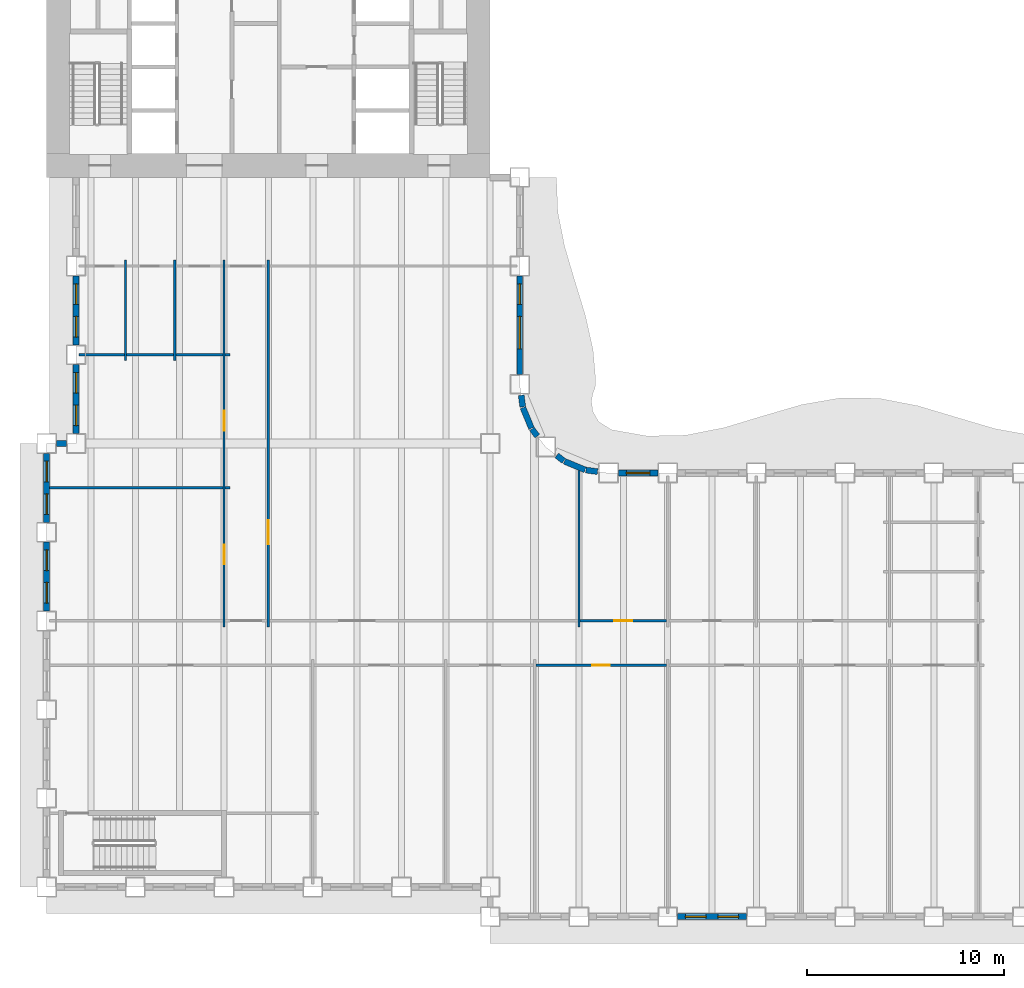
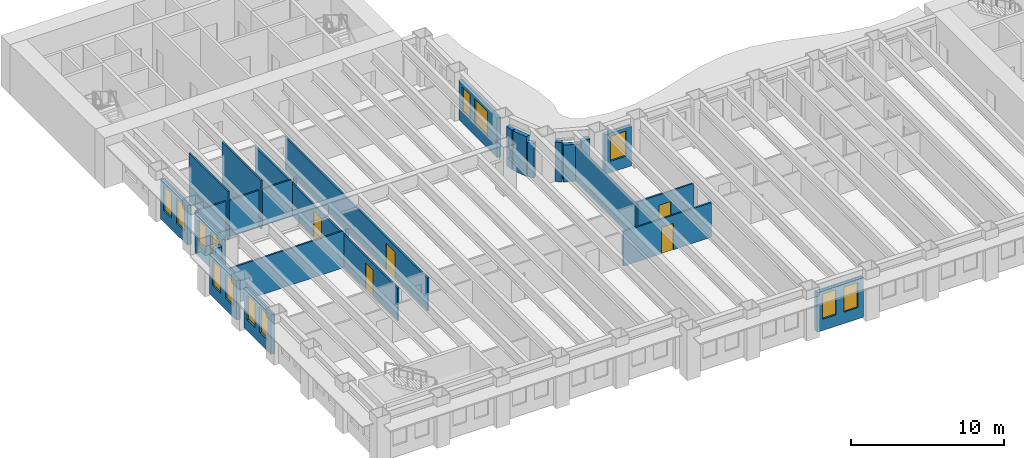
# One storey, part 4 of 16: 27 walls, 13 windows, 5 doors, 18 openings.
"""IFC4 building model written with IfcOpenShell, lengths in metres."""

from ifc_helpers import new_model, si_unit, direction, frame, frame_2d, origin, place, context, subcontext, project, spatial, rectangle, extrude, material, layer, layer_set, type_object, element, fill, save


model = new_model("IFC4")

# Units and contexts
model_context = context("Model", 3, precision=1e-05, world=origin(), true_north=direction((0.0, 1.0)))
body_context = subcontext(model_context, "Body", "Model", "MODEL_VIEW")
ifc_project = project(units=[si_unit("LENGTHUNIT", "METRE"), si_unit("AREAUNIT", "SQUARE_METRE"), si_unit("VOLUMEUNIT", "CUBIC_METRE"), si_unit("PLANEANGLEUNIT", "RADIAN"), si_unit("MASSUNIT", "GRAM", prefix="KILO")], contexts=[model_context])

# Site, building, storey
site_placement = place(None, origin())
site = spatial("IfcSite", under=ifc_project, at=site_placement, CompositionType="ELEMENT")
building_placement = place(site_placement, origin())
building = spatial("IfcBuilding", under=site, at=building_placement, Name="Sennacour Bend Tower", CompositionType="ELEMENT")
storey_placement = place(building_placement, frame((0.0, 0.0, 123.0)))
storey = spatial("IfcBuildingStorey", under=building, at=storey_placement, Name="L28", CompositionType="ELEMENT", Elevation=123.0)

# Walls
ifc_material_1 = material(Name="Plasterboard partition on steel studs", Category="steel")
ifc_layer_1 = layer(ifc_material_1, 0.1201171875, Name="Plasterboard partition on steel studs", Category="steel")
ifc_layer_set_1 = layer_set([ifc_layer_1], Name="Plasterboard partition on steel studs")
wall_type_1 = type_object("IfcWallType", Name="Partition 120", PredefinedType="PARTITIONING", material=ifc_layer_set_1)
for number, where, z_axis, x_axis, name in (
    (1, (4.0, 26.699951171875, 0.0), (0.0, 0.0, 1.0), (0.0, 1.0, 0.0), "P-L28-W005a"),
    (2, (6.5, 26.699951171875, 0.0), (0.0, 0.0, 1.0), (0.0, 1.0, 0.0), "P-L28-W008a"),
):
    element("IfcWall", number, at=place(storey_placement, frame(where, z_axis=z_axis, x_axis=x_axis)), inside=storey, type_object=wall_type_1, Name=name, PredefinedType="PARTITIONING", context=body_context, shape_type="SweptSolid", body=[
        extrude(rectangle(XDim=5.10009765625, YDim=0.1201171875, at=frame_2d((2.550048828125, 0.0))), origin(), (0.0, 0.0, 1.0), 3.85009765625),
    ])

# Wall, openings, doors
wall_1_placement = place(storey_placement, frame((9.0, 13.199951171875, 0.0), z_axis=(0.0, 0.0, 1.0), x_axis=(0.0, 1.0, 0.0)))
wall_1 = element("IfcWall", 3, at=wall_1_placement, inside=storey, type_object=wall_type_1, Name="P-L28-W011a", PredefinedType="PARTITIONING", context=body_context, shape_type="SweptSolid", body=[
    extrude(rectangle(XDim=18.60009765625, YDim=0.1201171875, at=frame_2d((9.300048828125, 0.0))), origin(), (0.0, 0.0, 1.0), 2.60009765625),
])
opening_1_placement = place(wall_1_placement, frame((3.175048828125, 0.0, 0.0)))
opening_1 = element("IfcOpeningElement", 4, at=opening_1_placement, cuts=wall_1, Name="Opening OD2", PredefinedType="OPENING", context=body_context, shape_type="SweptSolid", body=[
    extrude(rectangle(XDim=1.0, YDim=2.10009765625, at=frame_2d((0.5, 1.050048828125))), frame((0.0, 0.070068359375, 0.0), z_axis=(0.0, -1.0, 0.0), x_axis=(1.0, 0.0, 0.0)), (0.0, 0.0, 1.0), 0.14013671875),
])
opening_2_placement = place(wall_1_placement, frame((9.955078125, 0.0, 0.0)))
opening_2 = element("IfcOpeningElement", 5, at=opening_2_placement, cuts=wall_1, Name="Opening OD2", PredefinedType="OPENING", context=body_context, shape_type="SweptSolid", body=[
    extrude(rectangle(XDim=1.0, YDim=2.10009765625, at=frame_2d((0.5, 1.050048828125))), frame((0.0, 0.070068359375, 0.0), z_axis=(0.0, -1.0, 0.0), x_axis=(1.0, 0.0, 0.0)), (0.0, 0.0, 1.0), 0.14013671875),
])
ifc_material_2 = material(Name="Timber", Category="wood")
door_type_1 = type_object("IfcDoorType", Name="DR-OFFICE-1000", OperationType="NOTDEFINED", PredefinedType="DOOR", material=ifc_material_2)
door_1_placement = place(opening_1_placement, origin())
door_1 = element("IfcDoor", 6, at=door_1_placement, inside=storey, type_object=door_type_1, Name="Door", OperationType="SINGLE_SWING_LEFT", OverallHeight=2.10009765625, OverallWidth=1.0, PredefinedType="DOOR", context=body_context, shape_type="SweptSolid", body=[
    extrude(rectangle(XDim=1.0, YDim=2.10009765625, at=frame_2d((0.5, 1.050048828125))), frame((0.0, 0.02490234375, 0.0), z_axis=(0.0, -1.0, 0.0), x_axis=(1.0, 0.0, 0.0)), (0.0, 0.0, 1.0), 0.050048828125),
])
fill(opening_1, door_1)
door_2_placement = place(opening_2_placement, origin())
door_2 = element("IfcDoor", 7, at=door_2_placement, inside=storey, type_object=door_type_1, Name="Door", OperationType="SINGLE_SWING_RIGHT", OverallHeight=2.10009765625, OverallWidth=1.0, PredefinedType="DOOR", context=body_context, shape_type="SweptSolid", body=[
    extrude(rectangle(XDim=1.0, YDim=2.10009765625, at=frame_2d((0.5, 1.050048828125))), frame((0.0, 0.02490234375, 0.0), z_axis=(0.0, -1.0, 0.0), x_axis=(1.0, 0.0, 0.0)), (0.0, 0.0, 1.0), 0.050048828125),
])
fill(opening_2, door_2)

# Wall, opening, door
wall_2_placement = place(storey_placement, frame((11.25, 13.199951171875, 0.0), z_axis=(0.0, 0.0, 1.0), x_axis=(0.0, 1.0, 0.0)))
wall_2 = element("IfcWall", 8, at=wall_2_placement, inside=storey, type_object=wall_type_1, Name="P-L28-W013a", PredefinedType="PARTITIONING", context=body_context, shape_type="SweptSolid", body=[
    extrude(rectangle(XDim=18.60009765625, YDim=0.1201171875, at=frame_2d((9.300048828125, 0.0))), origin(), (0.0, 0.0, 1.0), 2.60009765625),
])
opening_3_placement = place(wall_2_placement, frame((4.199951171875, 0.0, 0.0)))
opening_3 = element("IfcOpeningElement", 9, at=opening_3_placement, cuts=wall_2, Name="Opening OD", PredefinedType="OPENING", context=body_context, shape_type="SweptSolid", body=[
    extrude(rectangle(XDim=1.199951171875, YDim=2.10009765625, at=frame_2d((0.60009765625, 1.050048828125))), frame((0.0, 0.070068359375, 0.0), z_axis=(0.0, -1.0, 0.0), x_axis=(1.0, 0.0, 0.0)), (0.0, 0.0, 1.0), 0.14013671875),
])
door_type_2 = type_object("IfcDoorType", Name="DR-OFFICE-1200", OperationType="NOTDEFINED", PredefinedType="DOOR", material=ifc_material_2)
door_3_placement = place(opening_3_placement, origin())
door_3 = element("IfcDoor", 10, at=door_3_placement, inside=storey, type_object=door_type_2, Name="Door", OperationType="SINGLE_SWING_LEFT", OverallHeight=2.10009765625, OverallWidth=1.199951171875, PredefinedType="DOOR", context=body_context, shape_type="SweptSolid", body=[
    extrude(rectangle(XDim=1.199951171875, YDim=2.10009765625, at=frame_2d((0.60009765625, 1.050048828125))), frame((0.0, 0.02490234375, 0.0), z_axis=(0.0, -1.0, 0.0), x_axis=(1.0, 0.0, 0.0)), (0.0, 0.0, 1.0), 0.050048828125),
])
fill(opening_3, door_3)

# Walls
wall_3_placement = place(storey_placement, frame((27.0, 13.199951171875, 0.0), z_axis=(0.0, 0.0, 1.0), x_axis=(0.0, 1.0, 0.0)))
element("IfcWall", 11, at=wall_3_placement, inside=storey, type_object=wall_type_1, Name="P-L28-W026a", PredefinedType="PARTITIONING", context=body_context, shape_type="SweptSolid", body=[
    extrude(rectangle(XDim=7.929931640625, YDim=0.1201171875, at=frame_2d((3.96484375, 0.0))), origin(), (0.0, 0.0, 1.0), 2.93798828125),
])
wall_4_placement = place(storey_placement, frame((0.14990234375, 20.25, 0.0), z_axis=(0.0, 0.0, 1.0), x_axis=(1.0, 0.0, 0.0)))
element("IfcWall", 12, at=wall_4_placement, inside=storey, type_object=wall_type_1, Name="P-L28-W070aa", PredefinedType="PARTITIONING", context=body_context, shape_type="SweptSolid", body=[
    extrude(rectangle(XDim=8.7900390625, YDim=0.1201171875, at=frame_2d((4.39501953125, 0.0))), origin(), (0.0, 0.0, 1.0), 2.93798828125),
])
wall_5_placement = place(storey_placement, frame((9.06005859375, 20.25, 0.0), z_axis=(0.0, 0.0, 1.0), x_axis=(1.0, 0.0, 0.0)))
element("IfcWall", 13, at=wall_5_placement, inside=storey, type_object=wall_type_1, Name="P-L28-W070ab", PredefinedType="PARTITIONING", context=body_context, shape_type="SweptSolid", body=[
    extrude(rectangle(XDim=0.239990234375, YDim=0.1201171875, at=frame_2d((0.1201171875, 0.0))), origin(), (0.0, 0.0, 1.0), 2.93798828125),
])
wall_6_placement = place(storey_placement, frame((1.64990234375, 27.0, 0.0), z_axis=(0.0, 0.0, 1.0), x_axis=(1.0, 0.0, 0.0)))
element("IfcWall", 14, at=wall_6_placement, inside=storey, type_object=wall_type_1, Name="P-L28-W073aa", PredefinedType="PARTITIONING", context=body_context, shape_type="SweptSolid", body=[
    extrude(rectangle(XDim=2.2900390625, YDim=0.1201171875, at=frame_2d((1.14501953125, 0.0))), origin(), (0.0, 0.0, 1.0), 2.93798828125),
])
for number, where, z_axis, x_axis, name in (
    (15, (4.06005859375, 27.0, 0.0), (0.0, 0.0, 1.0), (1.0, 0.0, 0.0), "P-L28-W073ab"),
    (16, (6.56005859375, 27.0, 0.0), (0.0, 0.0, 1.0), (1.0, 0.0, 0.0), "P-L28-W073ac"),
):
    element("IfcWall", number, at=place(storey_placement, frame(where, z_axis=z_axis, x_axis=x_axis)), inside=storey, type_object=wall_type_1, Name=name, PredefinedType="PARTITIONING", context=body_context, shape_type="SweptSolid", body=[
        extrude(rectangle(XDim=2.3798828125, YDim=0.1201171875, at=frame_2d((1.18994140625, 0.0))), origin(), (0.0, 0.0, 1.0), 2.93798828125),
    ])
wall_7_placement = place(storey_placement, frame((9.06005859375, 27.0, 0.0), z_axis=(0.0, 0.0, 1.0), x_axis=(1.0, 0.0, 0.0)))
element("IfcWall", 17, at=wall_7_placement, inside=storey, type_object=wall_type_1, Name="P-L28-W073ad", PredefinedType="PARTITIONING", context=body_context, shape_type="SweptSolid", body=[
    extrude(rectangle(XDim=0.239990234375, YDim=0.1201171875, at=frame_2d((0.1201171875, 0.0))), origin(), (0.0, 0.0, 1.0), 2.93798828125),
])

# Wall, opening, door
ifc_layer_2 = layer(ifc_material_1, 0.1201171875, Name="Plasterboard partition on steel studs", Category="steel")
ifc_layer_set_2 = layer_set([ifc_layer_2], Name="Plasterboard partition on steel studs")
wall_type_2 = type_object("IfcWallType", Name="Partition 120 EI 60", PredefinedType="PARTITIONING", material=ifc_layer_set_2)
wall_8_placement = place(storey_placement, frame((24.81005859375, 11.25, 0.0), z_axis=(0.0, 0.0, 1.0), x_axis=(1.0, 0.0, 0.0)))
wall_8 = element("IfcWall", 18, at=wall_8_placement, inside=storey, type_object=wall_type_2, Name="P-L28-W058ad", PredefinedType="PARTITIONING", context=body_context, shape_type="SweptSolid", body=[
    extrude(rectangle(XDim=6.6298828125, YDim=0.1201171875, at=frame_2d((3.31494140625, 0.0))), origin(), (0.0, 0.0, 1.0), 2.760009765625),
])
opening_4_placement = place(wall_8_placement, frame((2.864990234375, 0.0, 0.0)))
opening_4 = element("IfcOpeningElement", 19, at=opening_4_placement, cuts=wall_8, Name="Opening SV", PredefinedType="OPENING", context=body_context, shape_type="SweptSolid", body=[
    extrude(rectangle(XDim=0.89990234375, YDim=2.10009765625, at=frame_2d((0.449951171875, 1.050048828125))), frame((0.0, 0.070068359375, 0.0), z_axis=(0.0, -1.0, 0.0), x_axis=(1.0, 0.0, 0.0)), (0.0, 0.0, 1.0), 0.14013671875),
])
ifc_material_3 = material(Name="Painted steel", Category="steel")
door_type_3 = type_object("IfcDoorType", Name="DR-SERVICE-900", OperationType="NOTDEFINED", PredefinedType="DOOR", material=ifc_material_3)
door_4_placement = place(opening_4_placement, origin())
door_4 = element("IfcDoor", 20, at=door_4_placement, inside=storey, type_object=door_type_3, Name="Door", OperationType="SINGLE_SWING_LEFT", OverallHeight=2.10009765625, OverallWidth=0.89990234375, PredefinedType="DOOR", context=body_context, shape_type="SweptSolid", body=[
    extrude(rectangle(XDim=0.89990234375, YDim=2.10009765625, at=frame_2d((0.449951171875, 1.050048828125))), frame((0.0, 0.02490234375, 0.0), z_axis=(0.0, -1.0, 0.0), x_axis=(1.0, 0.0, 0.0)), (0.0, 0.0, 1.0), 0.050048828125),
])
fill(opening_4, door_4)

wall_9_placement = place(storey_placement, frame((27.06005859375, 13.5, 0.0), z_axis=(0.0, 0.0, 1.0), x_axis=(1.0, 0.0, 0.0)))
wall_9 = element("IfcWall", 21, at=wall_9_placement, inside=storey, type_object=wall_type_2, Name="P-L28-W060ad", PredefinedType="PARTITIONING", context=body_context, shape_type="SweptSolid", body=[
    extrude(rectangle(XDim=4.3798828125, YDim=0.1201171875, at=frame_2d((2.18994140625, 0.0))), origin(), (0.0, 0.0, 1.0), 2.93798828125),
])
opening_5_placement = place(wall_9_placement, frame((1.739990234375, 0.0, 0.0)))
opening_5 = element("IfcOpeningElement", 22, at=opening_5_placement, cuts=wall_9, Name="Opening SV", PredefinedType="OPENING", context=body_context, shape_type="SweptSolid", body=[
    extrude(rectangle(XDim=0.89990234375, YDim=2.10009765625, at=frame_2d((0.449951171875, 1.050048828125))), frame((0.0, 0.070068359375, 0.0), z_axis=(0.0, -1.0, 0.0), x_axis=(1.0, 0.0, 0.0)), (0.0, 0.0, 1.0), 0.14013671875),
])
door_5_placement = place(opening_5_placement, origin())
door_5 = element("IfcDoor", 23, at=door_5_placement, inside=storey, type_object=door_type_3, Name="Door", OperationType="SINGLE_SWING_LEFT", OverallHeight=2.10009765625, OverallWidth=0.89990234375, PredefinedType="DOOR", context=body_context, shape_type="SweptSolid", body=[
    extrude(rectangle(XDim=0.89990234375, YDim=2.10009765625, at=frame_2d((0.449951171875, 1.050048828125))), frame((0.0, 0.02490234375, 0.0), z_axis=(0.0, -1.0, 0.0), x_axis=(1.0, 0.0, 0.0)), (0.0, 0.0, 1.0), 0.050048828125),
])
fill(opening_5, door_5)

# Wall, openings, windows
ifc_material_4 = material(Name="Warm limestone cladding", Category="masonry")
ifc_layer_3 = layer(ifc_material_4, 0.050048828125, Name="Warm limestone cladding", Category="masonry")
ifc_material_5 = material(Name="Precast concrete C40/50", Category="concrete")
ifc_layer_4 = layer(ifc_material_5, 0.25, Name="Precast concrete C40/50", Category="concrete")
ifc_layer_set_3 = layer_set([ifc_layer_3, ifc_layer_4], Name="Precast concrete C40/50 with limestone cladding")
wall_type_3 = type_object("IfcWallType", Name="STONE-CLAD PRECAST SPANDREL 300", PredefinedType="STANDARD", material=ifc_layer_set_3)
wall_10_placement = place(storey_placement, frame((32.0, -1.5, 0.0), z_axis=(0.0, 0.0, 1.0), x_axis=(1.0, 0.0, 0.0)))
wall_10 = element("IfcWall", 24, at=wall_10_placement, inside=storey, type_object=wall_type_3, Name="Stone spandrel and pier wall L28 00.02", PredefinedType="STANDARD", context=body_context, shape_type="SweptSolid", body=[
    extrude(rectangle(XDim=3.5, YDim=0.300048828125, at=frame_2d((1.75, 0.0))), origin(), (0.0, 0.0, 1.0), 3.154052734375),
])
opening_6_placement = place(wall_10_placement, frame((0.39990234375, 0.0, 0.89990234375)))
opening_6 = element("IfcOpeningElement", 25, at=opening_6_placement, cuts=wall_10, Name="Opening W13", PredefinedType="OPENING", context=body_context, shape_type="SweptSolid", body=[
    extrude(rectangle(XDim=1.050048828125, YDim=2.0, at=frame_2d((0.52490234375, 1.0))), frame((0.0, 0.16015625, 0.0), z_axis=(0.0, -1.0, 0.0), x_axis=(1.0, 0.0, 0.0)), (0.0, 0.0, 1.0), 0.320068359375),
])
opening_7_placement = place(wall_10_placement, frame((2.050048828125, 0.0, 0.89990234375)))
opening_7 = element("IfcOpeningElement", 26, at=opening_7_placement, cuts=wall_10, Name="Opening W13", PredefinedType="OPENING", context=body_context, shape_type="SweptSolid", body=[
    extrude(rectangle(XDim=1.050048828125, YDim=2.0, at=frame_2d((0.52490234375, 1.0))), frame((0.0, 0.16015625, 0.0), z_axis=(0.0, -1.0, 0.0), x_axis=(1.0, 0.0, 0.0)), (0.0, 0.0, 1.0), 0.320068359375),
])
ifc_material_6 = material(Name="Clear low-emissivity glass", Category="glass")
window_type_1 = type_object("IfcWindowType", Name="WIN-RIBBON-1050x2000", PartitioningType="SINGLE_PANEL", PredefinedType="WINDOW", material=ifc_material_6)
window_1_placement = place(opening_6_placement, origin())
window_1 = element("IfcWindow", 27, at=window_1_placement, inside=storey, type_object=window_type_1, Name="Ribbon window L28 00.02.0", OverallHeight=2.0, OverallWidth=1.050048828125, PartitioningType="SINGLE_PANEL", PredefinedType="WINDOW", context=body_context, shape_type="SweptSolid", body=[
    extrude(rectangle(XDim=1.050048828125, YDim=2.0, at=frame_2d((0.52490234375, 1.0))), frame((0.0, 0.030029296875, 0.0), z_axis=(0.0, -1.0, 0.0), x_axis=(1.0, 0.0, 0.0)), (0.0, 0.0, 1.0), 0.06005859375),
])
fill(opening_6, window_1)
window_2_placement = place(opening_7_placement, origin())
window_2 = element("IfcWindow", 28, at=window_2_placement, inside=storey, type_object=window_type_1, Name="Ribbon window L28 00.02.1", OverallHeight=2.0, OverallWidth=1.050048828125, PartitioningType="SINGLE_PANEL", PredefinedType="WINDOW", context=body_context, shape_type="SweptSolid", body=[
    extrude(rectangle(XDim=1.050048828125, YDim=2.0, at=frame_2d((0.52490234375, 1.0))), frame((0.0, 0.030029296875, 0.0), z_axis=(0.0, -1.0, 0.0), x_axis=(1.0, 0.0, 0.0)), (0.0, 0.0, 1.0), 0.06005859375),
])
fill(opening_7, window_2)

# Wall, opening, window
wall_11_placement = place(storey_placement, frame((31.0, 21.0, 0.0), z_axis=(0.0, 0.0, 1.0), x_axis=(-1.0, 0.0, 0.0)))
wall_11 = element("IfcWall", 29, at=wall_11_placement, inside=storey, type_object=wall_type_3, Name="Stone spandrel and pier wall L28 06.05", PredefinedType="STANDARD", context=body_context, shape_type="SweptSolid", body=[
    extrude(rectangle(XDim=2.0, YDim=0.300048828125, at=frame_2d((1.0, 0.0))), origin(), (0.0, 0.0, 1.0), 3.154052734375),
])
opening_8_placement = place(wall_11_placement, frame((0.39990234375, 0.0, 0.89990234375)))
opening_8 = element("IfcOpeningElement", 30, at=opening_8_placement, cuts=wall_11, Name="Opening W14", PredefinedType="OPENING", context=body_context, shape_type="SweptSolid", body=[
    extrude(rectangle(XDim=1.199951171875, YDim=2.0, at=frame_2d((0.60009765625, 1.0))), frame((0.0, 0.16015625, 0.0), z_axis=(0.0, -1.0, 0.0), x_axis=(1.0, 0.0, 0.0)), (0.0, 0.0, 1.0), 0.320068359375),
])
window_type_2 = type_object("IfcWindowType", Name="WIN-RIBBON-1200x2000", PartitioningType="SINGLE_PANEL", PredefinedType="WINDOW", material=ifc_material_6)
window_3_placement = place(opening_8_placement, origin())
window_3 = element("IfcWindow", 31, at=window_3_placement, inside=storey, type_object=window_type_2, Name="Ribbon window L28 06.05", OverallHeight=2.0, OverallWidth=1.199951171875, PartitioningType="SINGLE_PANEL", PredefinedType="WINDOW", context=body_context, shape_type="SweptSolid", body=[
    extrude(rectangle(XDim=1.199951171875, YDim=2.0, at=frame_2d((0.60009765625, 1.0))), frame((0.0, 0.030029296875, 0.0), z_axis=(0.0, -1.0, 0.0), x_axis=(1.0, 0.0, 0.0)), (0.0, 0.0, 1.0), 0.06005859375),
])
fill(opening_8, window_3)

# Walls
wall_12_placement = place(storey_placement, frame((27.94384765625, 21.0732421875, 0.0), z_axis=(0.0, 0.0, 1.0), x_axis=(-0.991420685839, 0.130709692412, 0.0)))
element("IfcWall", 32, at=wall_12_placement, inside=storey, type_object=wall_type_3, Name="Stone spandrel and pier wall L28 07.00", PredefinedType="STANDARD", context=body_context, shape_type="SweptSolid", body=[
    extrude(rectangle(XDim=0.593994140625, YDim=0.300048828125, at=frame_2d((0.296875, 0.0))), origin(), (0.0, 0.0, 1.0), 3.154052734375),
])
wall_13_placement = place(storey_placement, frame((27.317138671875, 21.160888671875, 0.0), z_axis=(0.0, 0.0, 1.0), x_axis=(-0.923914616768, 0.382598720491, 0.0)))
element("IfcWall", 33, at=wall_13_placement, inside=storey, type_object=wall_type_3, Name="Stone spandrel and pier wall L28 08.00", PredefinedType="STANDARD", context=body_context, shape_type="SweptSolid", body=[
    extrude(rectangle(XDim=1.13525390625, YDim=0.300048828125, at=frame_2d((0.567626953125, 0.0))), origin(), (0.0, 0.0, 1.0), 2.93798828125),
])
wall_14_placement = place(storey_placement, frame((26.234375, 21.614990234375, 0.0), z_axis=(0.0, 0.0, 1.0), x_axis=(-0.793563062559, 0.608488016104, 0.0)))
element("IfcWall", 34, at=wall_14_placement, inside=storey, type_object=wall_type_3, Name="Stone spandrel and pier wall L28 09.00", PredefinedType="STANDARD", context=body_context, shape_type="SweptSolid", body=[
    extrude(rectangle(XDim=0.453857421875, YDim=0.300048828125, at=frame_2d((0.22705078125, 0.0))), origin(), (0.0, 0.0, 1.0), 3.154052734375),
])
wall_15_placement = place(storey_placement, frame((24.89111328125, 22.874267578125, 0.0), z_axis=(0.0, 0.0, 1.0), x_axis=(-0.608488016104, 0.793563062559, 0.0)))
element("IfcWall", 35, at=wall_15_placement, inside=storey, type_object=wall_type_3, Name="Stone spandrel and pier wall L28 10.00", PredefinedType="STANDARD", context=body_context, shape_type="SweptSolid", body=[
    extrude(rectangle(XDim=0.453857421875, YDim=0.300048828125, at=frame_2d((0.22705078125, 0.0))), origin(), (0.0, 0.0, 1.0), 2.760009765625),
])
wall_16_placement = place(storey_placement, frame((24.59521484375, 23.268310546875, 0.0), z_axis=(0.0, 0.0, 1.0), x_axis=(-0.382598720491, 0.923914616768, 0.0)))
element("IfcWall", 36, at=wall_16_placement, inside=storey, type_object=wall_type_3, Name="Stone spandrel and pier wall L28 11.00", PredefinedType="STANDARD", context=body_context, shape_type="SweptSolid", body=[
    extrude(rectangle(XDim=1.13525390625, YDim=0.300048828125, at=frame_2d((0.567626953125, 0.0))), origin(), (0.0, 0.0, 1.0), 3.154052734375),
])
wall_17_placement = place(storey_placement, frame((24.15087890625, 24.35498046875, 0.0), z_axis=(0.0, 0.0, 1.0), x_axis=(-0.130709692412, 0.991420685839, 0.0)))
element("IfcWall", 37, at=wall_17_placement, inside=storey, type_object=wall_type_3, Name="Stone spandrel and pier wall L28 12.00", PredefinedType="STANDARD", context=body_context, shape_type="SweptSolid", body=[
    extrude(rectangle(XDim=0.593994140625, YDim=0.300048828125, at=frame_2d((0.296875, 0.0))), origin(), (0.0, 0.0, 1.0), 3.154052734375),
])

# Wall, openings, windows
wall_18_placement = place(storey_placement, frame((24.0, 26.0, 0.0), z_axis=(0.0, 0.0, 1.0), x_axis=(0.0, 1.0, 0.0)))
wall_18 = element("IfcWall", 38, at=wall_18_placement, inside=storey, type_object=wall_type_3, Name="Stone spandrel and pier wall L28 13.00", PredefinedType="STANDARD", context=body_context, shape_type="SweptSolid", body=[
    extrude(rectangle(XDim=5.0, YDim=0.300048828125, at=frame_2d((2.5, 0.0))), origin(), (0.0, 0.0, 1.0), 3.154052734375),
])
opening_9_placement = place(wall_18_placement, frame((1.300048828125, 0.0, 0.89990234375)))
opening_9 = element("IfcOpeningElement", 39, at=opening_9_placement, cuts=wall_18, Name="Opening W10", PredefinedType="OPENING", context=body_context, shape_type="SweptSolid", body=[
    extrude(rectangle(XDim=1.64990234375, YDim=2.0, at=frame_2d((0.824951171875, 1.0))), frame((0.0, 0.16015625, 0.0), z_axis=(0.0, -1.0, 0.0), x_axis=(1.0, 0.0, 0.0)), (0.0, 0.0, 1.0), 0.320068359375),
])
opening_10_placement = place(wall_18_placement, frame((3.550048828125, 0.0, 0.89990234375)))
opening_10 = element("IfcOpeningElement", 40, at=opening_10_placement, cuts=wall_18, Name="Opening W13", PredefinedType="OPENING", context=body_context, shape_type="SweptSolid", body=[
    extrude(rectangle(XDim=1.050048828125, YDim=2.0, at=frame_2d((0.52490234375, 1.0))), frame((0.0, 0.16015625, 0.0), z_axis=(0.0, -1.0, 0.0), x_axis=(1.0, 0.0, 0.0)), (0.0, 0.0, 1.0), 0.320068359375),
])
window_4_placement = place(opening_10_placement, origin())
window_4 = element("IfcWindow", 41, at=window_4_placement, inside=storey, type_object=window_type_1, Name="Ribbon window L28 13.00.1", OverallHeight=2.0, OverallWidth=1.050048828125, PartitioningType="SINGLE_PANEL", PredefinedType="WINDOW", context=body_context, shape_type="SweptSolid", body=[
    extrude(rectangle(XDim=1.050048828125, YDim=2.0, at=frame_2d((0.52490234375, 1.0))), frame((0.0, 0.030029296875, 0.0), z_axis=(0.0, -1.0, 0.0), x_axis=(1.0, 0.0, 0.0)), (0.0, 0.0, 1.0), 0.06005859375),
])
fill(opening_10, window_4)
window_type_3 = type_object("IfcWindowType", Name="WIN-RIBBON-1650x2000", PartitioningType="SINGLE_PANEL", PredefinedType="WINDOW", material=ifc_material_6)
window_5_placement = place(opening_9_placement, origin())
window_5 = element("IfcWindow", 42, at=window_5_placement, inside=storey, type_object=window_type_3, Name="Ribbon window L28 13.00.0", OverallHeight=2.0, OverallWidth=1.64990234375, PartitioningType="SINGLE_PANEL", PredefinedType="WINDOW", context=body_context, shape_type="SweptSolid", body=[
    extrude(rectangle(XDim=1.64990234375, YDim=2.0, at=frame_2d((0.824951171875, 1.0))), frame((0.0, 0.030029296875, 0.0), z_axis=(0.0, -1.0, 0.0), x_axis=(1.0, 0.0, 0.0)), (0.0, 0.0, 1.0), 0.06005859375),
])
fill(opening_9, window_5)

wall_19_placement = place(storey_placement, frame((1.5, 31.0, 0.0), z_axis=(0.0, 0.0, 1.0), x_axis=(0.0, -1.0, 0.0)))
wall_19 = element("IfcWall", 43, at=wall_19_placement, inside=storey, type_object=wall_type_3, Name="Stone spandrel and pier wall L28 19.01", PredefinedType="STANDARD", context=body_context, shape_type="SweptSolid", body=[
    extrude(rectangle(XDim=3.5, YDim=0.300048828125, at=frame_2d((1.75, 0.0))), origin(), (0.0, 0.0, 1.0), 3.154052734375),
])
opening_11_placement = place(wall_19_placement, frame((0.39990234375, 0.0, 0.89990234375)))
opening_11 = element("IfcOpeningElement", 44, at=opening_11_placement, cuts=wall_19, Name="Opening W13", PredefinedType="OPENING", context=body_context, shape_type="SweptSolid", body=[
    extrude(rectangle(XDim=1.050048828125, YDim=2.0, at=frame_2d((0.52490234375, 1.0))), frame((0.0, 0.16015625, 0.0), z_axis=(0.0, -1.0, 0.0), x_axis=(1.0, 0.0, 0.0)), (0.0, 0.0, 1.0), 0.320068359375),
])
opening_12_placement = place(wall_19_placement, frame((2.050048828125, 0.0, 0.89990234375)))
opening_12 = element("IfcOpeningElement", 45, at=opening_12_placement, cuts=wall_19, Name="Opening W13", PredefinedType="OPENING", context=body_context, shape_type="SweptSolid", body=[
    extrude(rectangle(XDim=1.050048828125, YDim=2.0, at=frame_2d((0.52490234375, 1.0))), frame((0.0, 0.16015625, 0.0), z_axis=(0.0, -1.0, 0.0), x_axis=(1.0, 0.0, 0.0)), (0.0, 0.0, 1.0), 0.320068359375),
])
window_6_placement = place(opening_11_placement, origin())
window_6 = element("IfcWindow", 46, at=window_6_placement, inside=storey, type_object=window_type_1, Name="Ribbon window L28 19.01.0", OverallHeight=2.0, OverallWidth=1.050048828125, PartitioningType="SINGLE_PANEL", PredefinedType="WINDOW", context=body_context, shape_type="SweptSolid", body=[
    extrude(rectangle(XDim=1.050048828125, YDim=2.0, at=frame_2d((0.52490234375, 1.0))), frame((0.0, 0.030029296875, 0.0), z_axis=(0.0, -1.0, 0.0), x_axis=(1.0, 0.0, 0.0)), (0.0, 0.0, 1.0), 0.06005859375),
])
fill(opening_11, window_6)
window_7_placement = place(opening_12_placement, origin())
window_7 = element("IfcWindow", 47, at=window_7_placement, inside=storey, type_object=window_type_1, Name="Ribbon window L28 19.01.1", OverallHeight=2.0, OverallWidth=1.050048828125, PartitioningType="SINGLE_PANEL", PredefinedType="WINDOW", context=body_context, shape_type="SweptSolid", body=[
    extrude(rectangle(XDim=1.050048828125, YDim=2.0, at=frame_2d((0.52490234375, 1.0))), frame((0.0, 0.030029296875, 0.0), z_axis=(0.0, -1.0, 0.0), x_axis=(1.0, 0.0, 0.0)), (0.0, 0.0, 1.0), 0.06005859375),
])
fill(opening_12, window_7)

wall_20_placement = place(storey_placement, frame((1.5, 26.5, 0.0), z_axis=(0.0, 0.0, 1.0), x_axis=(0.0, -1.0, 0.0)))
wall_20 = element("IfcWall", 48, at=wall_20_placement, inside=storey, type_object=wall_type_3, Name="Stone spandrel and pier wall L28 19.02", PredefinedType="STANDARD", context=body_context, shape_type="SweptSolid", body=[
    extrude(rectangle(XDim=3.5, YDim=0.300048828125, at=frame_2d((1.75, 0.0))), origin(), (0.0, 0.0, 1.0), 3.154052734375),
])
opening_13_placement = place(wall_20_placement, frame((0.39990234375, 0.0, 0.89990234375)))
opening_13 = element("IfcOpeningElement", 49, at=opening_13_placement, cuts=wall_20, Name="Opening W13", PredefinedType="OPENING", context=body_context, shape_type="SweptSolid", body=[
    extrude(rectangle(XDim=1.050048828125, YDim=2.0, at=frame_2d((0.52490234375, 1.0))), frame((0.0, 0.16015625, 0.0), z_axis=(0.0, -1.0, 0.0), x_axis=(1.0, 0.0, 0.0)), (0.0, 0.0, 1.0), 0.320068359375),
])
opening_14_placement = place(wall_20_placement, frame((2.050048828125, 0.0, 0.89990234375)))
opening_14 = element("IfcOpeningElement", 50, at=opening_14_placement, cuts=wall_20, Name="Opening W13", PredefinedType="OPENING", context=body_context, shape_type="SweptSolid", body=[
    extrude(rectangle(XDim=1.050048828125, YDim=2.0, at=frame_2d((0.52490234375, 1.0))), frame((0.0, 0.16015625, 0.0), z_axis=(0.0, -1.0, 0.0), x_axis=(1.0, 0.0, 0.0)), (0.0, 0.0, 1.0), 0.320068359375),
])
window_8_placement = place(opening_13_placement, origin())
window_8 = element("IfcWindow", 51, at=window_8_placement, inside=storey, type_object=window_type_1, Name="Ribbon window L28 19.02.0", OverallHeight=2.0, OverallWidth=1.050048828125, PartitioningType="SINGLE_PANEL", PredefinedType="WINDOW", context=body_context, shape_type="SweptSolid", body=[
    extrude(rectangle(XDim=1.050048828125, YDim=2.0, at=frame_2d((0.52490234375, 1.0))), frame((0.0, 0.030029296875, 0.0), z_axis=(0.0, -1.0, 0.0), x_axis=(1.0, 0.0, 0.0)), (0.0, 0.0, 1.0), 0.06005859375),
])
fill(opening_13, window_8)
window_9_placement = place(opening_14_placement, origin())
window_9 = element("IfcWindow", 52, at=window_9_placement, inside=storey, type_object=window_type_1, Name="Ribbon window L28 19.02.1", OverallHeight=2.0, OverallWidth=1.050048828125, PartitioningType="SINGLE_PANEL", PredefinedType="WINDOW", context=body_context, shape_type="SweptSolid", body=[
    extrude(rectangle(XDim=1.050048828125, YDim=2.0, at=frame_2d((0.52490234375, 1.0))), frame((0.0, 0.030029296875, 0.0), z_axis=(0.0, -1.0, 0.0), x_axis=(1.0, 0.0, 0.0)), (0.0, 0.0, 1.0), 0.06005859375),
])
fill(opening_14, window_9)

# Wall
wall_21_placement = place(storey_placement, frame((1.0, 22.5, 0.0), z_axis=(0.0, 0.0, 1.0), x_axis=(-1.0, 0.0, 0.0)))
element("IfcWall", 53, at=wall_21_placement, inside=storey, type_object=wall_type_3, Name="Stone spandrel and pier wall L28 20.00", PredefinedType="STANDARD", context=body_context, shape_type="SweptSolid", body=[
    extrude(rectangle(XDim=0.5, YDim=0.300048828125, at=frame_2d((0.25, 0.0))), origin(), (0.0, 0.0, 1.0), 3.154052734375),
])

# Wall, openings, windows
wall_22_placement = place(storey_placement, frame((0.0, 22.0, 0.0), z_axis=(0.0, 0.0, 1.0), x_axis=(0.0, -1.0, 0.0)))
wall_22 = element("IfcWall", 54, at=wall_22_placement, inside=storey, type_object=wall_type_3, Name="Stone spandrel and pier wall L28 21.00", PredefinedType="STANDARD", context=body_context, shape_type="SweptSolid", body=[
    extrude(rectangle(XDim=3.5, YDim=0.300048828125, at=frame_2d((1.75, 0.0))), origin(), (0.0, 0.0, 1.0), 3.154052734375),
])
opening_15_placement = place(wall_22_placement, frame((0.39990234375, 0.0, 0.89990234375)))
opening_15 = element("IfcOpeningElement", 55, at=opening_15_placement, cuts=wall_22, Name="Opening W13", PredefinedType="OPENING", context=body_context, shape_type="SweptSolid", body=[
    extrude(rectangle(XDim=1.050048828125, YDim=2.0, at=frame_2d((0.52490234375, 1.0))), frame((0.0, 0.16015625, 0.0), z_axis=(0.0, -1.0, 0.0), x_axis=(1.0, 0.0, 0.0)), (0.0, 0.0, 1.0), 0.320068359375),
])
opening_16_placement = place(wall_22_placement, frame((2.050048828125, 0.0, 0.89990234375)))
opening_16 = element("IfcOpeningElement", 56, at=opening_16_placement, cuts=wall_22, Name="Opening W13", PredefinedType="OPENING", context=body_context, shape_type="SweptSolid", body=[
    extrude(rectangle(XDim=1.050048828125, YDim=2.0, at=frame_2d((0.52490234375, 1.0))), frame((0.0, 0.16015625, 0.0), z_axis=(0.0, -1.0, 0.0), x_axis=(1.0, 0.0, 0.0)), (0.0, 0.0, 1.0), 0.320068359375),
])
window_10_placement = place(opening_15_placement, origin())
window_10 = element("IfcWindow", 57, at=window_10_placement, inside=storey, type_object=window_type_1, Name="Ribbon window L28 21.00.0", OverallHeight=2.0, OverallWidth=1.050048828125, PartitioningType="SINGLE_PANEL", PredefinedType="WINDOW", context=body_context, shape_type="SweptSolid", body=[
    extrude(rectangle(XDim=1.050048828125, YDim=2.0, at=frame_2d((0.52490234375, 1.0))), frame((0.0, 0.030029296875, 0.0), z_axis=(0.0, -1.0, 0.0), x_axis=(1.0, 0.0, 0.0)), (0.0, 0.0, 1.0), 0.06005859375),
])
fill(opening_15, window_10)
window_11_placement = place(opening_16_placement, origin())
window_11 = element("IfcWindow", 58, at=window_11_placement, inside=storey, type_object=window_type_1, Name="Ribbon window L28 21.00.1", OverallHeight=2.0, OverallWidth=1.050048828125, PartitioningType="SINGLE_PANEL", PredefinedType="WINDOW", context=body_context, shape_type="SweptSolid", body=[
    extrude(rectangle(XDim=1.050048828125, YDim=2.0, at=frame_2d((0.52490234375, 1.0))), frame((0.0, 0.030029296875, 0.0), z_axis=(0.0, -1.0, 0.0), x_axis=(1.0, 0.0, 0.0)), (0.0, 0.0, 1.0), 0.06005859375),
])
fill(opening_16, window_11)

wall_23_placement = place(storey_placement, frame((0.0, 17.5, 0.0), z_axis=(0.0, 0.0, 1.0), x_axis=(0.0, -1.0, 0.0)))
wall_23 = element("IfcWall", 59, at=wall_23_placement, inside=storey, type_object=wall_type_3, Name="Stone spandrel and pier wall L28 21.01", PredefinedType="STANDARD", context=body_context, shape_type="SweptSolid", body=[
    extrude(rectangle(XDim=3.5, YDim=0.300048828125, at=frame_2d((1.75, 0.0))), origin(), (0.0, 0.0, 1.0), 3.154052734375),
])
opening_17_placement = place(wall_23_placement, frame((0.39990234375, 0.0, 0.89990234375)))
opening_17 = element("IfcOpeningElement", 60, at=opening_17_placement, cuts=wall_23, Name="Opening W13", PredefinedType="OPENING", context=body_context, shape_type="SweptSolid", body=[
    extrude(rectangle(XDim=1.050048828125, YDim=2.0, at=frame_2d((0.52490234375, 1.0))), frame((0.0, 0.16015625, 0.0), z_axis=(0.0, -1.0, 0.0), x_axis=(1.0, 0.0, 0.0)), (0.0, 0.0, 1.0), 0.320068359375),
])
opening_18_placement = place(wall_23_placement, frame((2.050048828125, 0.0, 0.89990234375)))
opening_18 = element("IfcOpeningElement", 61, at=opening_18_placement, cuts=wall_23, Name="Opening W13", PredefinedType="OPENING", context=body_context, shape_type="SweptSolid", body=[
    extrude(rectangle(XDim=1.050048828125, YDim=2.0, at=frame_2d((0.52490234375, 1.0))), frame((0.0, 0.16015625, 0.0), z_axis=(0.0, -1.0, 0.0), x_axis=(1.0, 0.0, 0.0)), (0.0, 0.0, 1.0), 0.320068359375),
])
window_12_placement = place(opening_17_placement, origin())
window_12 = element("IfcWindow", 62, at=window_12_placement, inside=storey, type_object=window_type_1, Name="Ribbon window L28 21.01.0", OverallHeight=2.0, OverallWidth=1.050048828125, PartitioningType="SINGLE_PANEL", PredefinedType="WINDOW", context=body_context, shape_type="SweptSolid", body=[
    extrude(rectangle(XDim=1.050048828125, YDim=2.0, at=frame_2d((0.52490234375, 1.0))), frame((0.0, 0.030029296875, 0.0), z_axis=(0.0, -1.0, 0.0), x_axis=(1.0, 0.0, 0.0)), (0.0, 0.0, 1.0), 0.06005859375),
])
fill(opening_17, window_12)
window_13_placement = place(opening_18_placement, origin())
window_13 = element("IfcWindow", 63, at=window_13_placement, inside=storey, type_object=window_type_1, Name="Ribbon window L28 21.01.1", OverallHeight=2.0, OverallWidth=1.050048828125, PartitioningType="SINGLE_PANEL", PredefinedType="WINDOW", context=body_context, shape_type="SweptSolid", body=[
    extrude(rectangle(XDim=1.050048828125, YDim=2.0, at=frame_2d((0.52490234375, 1.0))), frame((0.0, 0.030029296875, 0.0), z_axis=(0.0, -1.0, 0.0), x_axis=(1.0, 0.0, 0.0)), (0.0, 0.0, 1.0), 0.06005859375),
])
fill(opening_18, window_13)

save(model, "model.ifc")
